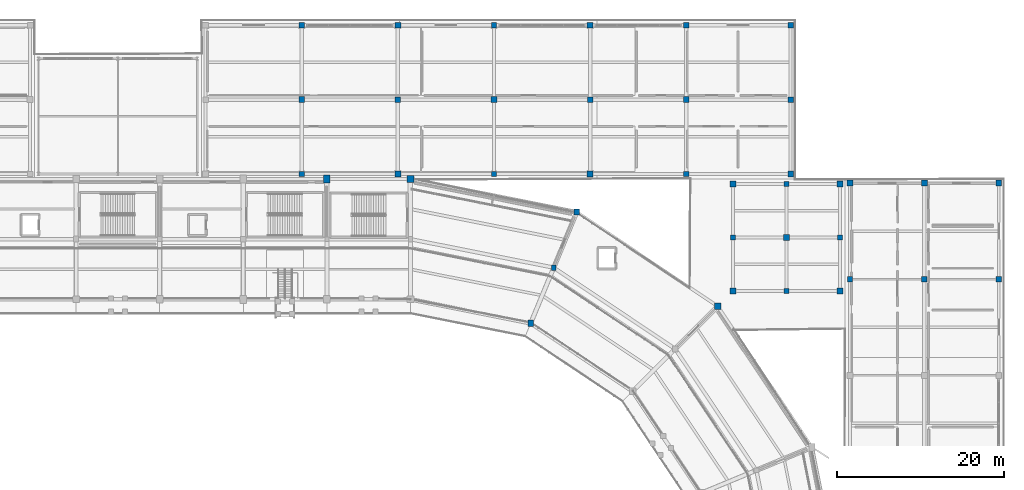
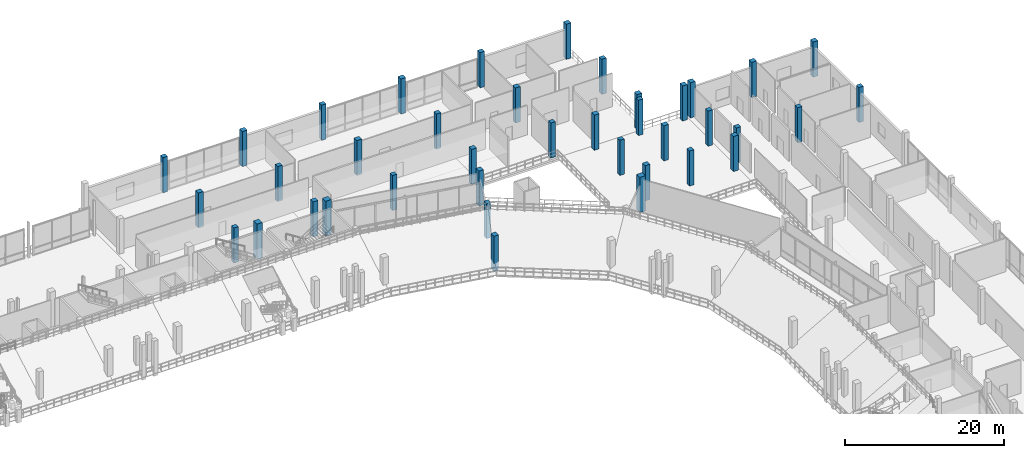
# One storey, part 10 of 127: 39 columns.
"""IFC4 building model written with IfcOpenShell, lengths in metres."""

from ifc_helpers import new_model, si_unit, direction, frame, origin, origin_2d, place, context, subcontext, project, spatial, rectangle, extrude, material, material_profile, profile_set, type_object, element, save


model = new_model("IFC4")

# Units and contexts
model_context = context("Model", 3, precision=1e-05, world=origin(), true_north=direction((0.0, 1.0)))
body_context = subcontext(model_context, "Body", "Model", "MODEL_VIEW")
ifc_project = project(units=[si_unit("LENGTHUNIT", "METRE"), si_unit("AREAUNIT", "SQUARE_METRE"), si_unit("VOLUMEUNIT", "CUBIC_METRE"), si_unit("PLANEANGLEUNIT", "RADIAN"), si_unit("MASSUNIT", "GRAM", prefix="KILO")], contexts=[model_context])

# Site, building, storey
site_placement = place(None, origin())
site = spatial("IfcSite", under=ifc_project, at=site_placement, CompositionType="ELEMENT")
building_placement = place(site_placement, origin())
building = spatial("IfcBuilding", under=site, at=building_placement, Name="Candeia Ridge Stadium", CompositionType="ELEMENT")
storey_placement = place(building_placement, frame((0.0, 0.0, 10.800048828125)))
storey = spatial("IfcBuildingStorey", under=building, at=storey_placement, Name="L02", CompositionType="ELEMENT", Elevation=10.800048828125)

# Columns
ifc_material_1 = material(Name="Concrete C45/55", Category="concrete")
ifc_material_profile_1 = material_profile(ifc_material_1, rectangle(XDim=0.800048828125, YDim=0.800048828125, at=origin_2d()), Name="RC800x800", Category="concrete")
ifc_profile_set_1 = profile_set([ifc_material_profile_1], Name="Concrete C45/55")
column_type_1 = type_object("IfcColumnType", Name="Bowl Column RC800x800", PredefinedType="COLUMN", material=ifc_profile_set_1)
for number, where, z_axis, x_axis, name in (
    (1, (141.0, 147.0, 0.0), (0.0, 0.0, 1.0), (1.0, 0.0, 0.0), "Structural column BC-OU-00 L02"),
    (2, (177.76953125, 131.76953125, 0.0), (0.0, 0.0, 1.0), (1.0, 0.0, 0.0), "Structural column BC-OU-34 L02"),
):
    element("IfcColumn", number, at=place(storey_placement, frame(where, z_axis=z_axis, x_axis=x_axis)), inside=storey, type_object=column_type_1, Name=name, PredefinedType="COLUMN", context=body_context, shape_type="SweptSolid", body=[
        extrude(rectangle(XDim=0.800048828125, YDim=0.800048828125, at=origin_2d()), origin(), (0.0, 0.0, 1.0), 5.39990234375),
    ])
ifc_material_2 = material(Name="Concrete C40/50", Category="concrete")
ifc_material_profile_2 = material_profile(ifc_material_2, rectangle(XDim=0.580078125, YDim=0.679931640625, at=origin_2d()), Name="RC580x680", Category="concrete")
ifc_profile_set_2 = profile_set([ifc_material_profile_2], Name="Concrete C40/50")
column_type_2 = type_object("IfcColumnType", Name="Graduated Frame Column RC580x680", PredefinedType="COLUMN", material=ifc_profile_set_2)
column_1_placement = place(storey_placement, frame((158.144287109375, 136.389892578125, 0.0), z_axis=(0.0, 0.0, 1.0), x_axis=(1.0, 0.0, 0.0)))
element("IfcColumn", 3, at=column_1_placement, inside=storey, type_object=column_type_2, Name="Structural column BC-M2-35 L02", PredefinedType="COLUMN", context=body_context, shape_type="SweptSolid", body=[
    extrude(rectangle(XDim=0.580078125, YDim=0.679931640625, at=origin_2d()), origin(), (0.0, 0.0, 1.0), 5.39990234375),
])
ifc_material_profile_3 = material_profile(ifc_material_2, rectangle(XDim=0.679931640625, YDim=0.760009765625, at=origin_2d()), Name="RC680x760", Category="concrete")
ifc_profile_set_3 = profile_set([ifc_material_profile_3], Name="Concrete C40/50")
column_type_3 = type_object("IfcColumnType", Name="Graduated Frame Column RC680x760", PredefinedType="COLUMN", material=ifc_profile_set_3)
for number, where, z_axis, x_axis, name in (
    (4, (155.388916015625, 129.73779296875, 0.0), (0.0, 0.0, 1.0), (1.0, 0.0, 0.0), "Structural column BC-MD-35 L02"),
    (5, (160.899658203125, 143.041748046875, 0.0), (0.0, 0.0, 1.0), (1.0, 0.0, 0.0), "Structural column BC-OU-35 L02"),
):
    element("IfcColumn", number, at=place(storey_placement, frame(where, z_axis=z_axis, x_axis=x_axis)), inside=storey, type_object=column_type_3, Name=name, PredefinedType="COLUMN", context=body_context, shape_type="SweptSolid", body=[
        extrude(rectangle(XDim=0.679931640625, YDim=0.760009765625, at=origin_2d()), origin(), (0.0, 0.0, 1.0), 5.39990234375),
    ])
ifc_material_profile_4 = material_profile(ifc_material_2, rectangle(XDim=0.64990234375, YDim=0.64990234375, at=origin_2d()), Name="RC650x650", Category="concrete")
ifc_profile_set_4 = profile_set([ifc_material_profile_4], Name="Concrete C40/50")
column_type_4 = type_object("IfcColumnType", Name="Reinforced Concrete Column RC650x650", PredefinedType="COLUMN", material=ifc_profile_set_4)
for number, where, z_axis, x_axis, name in (
    (6, (193.60009765625, 135.0, 0.0), (0.0, 0.0, 1.0), (1.0, 0.0, 0.0), "Structural column EW-00-10 L02"),
    (7, (202.5, 135.0, 0.0), (0.0, 0.0, 1.0), (1.0, 0.0, 0.0), "Structural column EW-01-10 L02"),
    (8, (211.39990234375, 135.0, 0.0), (0.0, 0.0, 1.0), (1.0, 0.0, 0.0), "Structural column EW-02-10 L02"),
    (9, (128.0, 147.60009765625, 0.0), (0.0, 0.0, 1.0), (1.0, 0.0, 0.0), "Structural column NWE-01-00 L02"),
    (10, (128.0, 165.39990234375, 0.0), (0.0, 0.0, 1.0), (1.0, 0.0, 0.0), "Structural column NWE-01-02 L02"),
    (11, (139.5, 156.5, 0.0), (0.0, 0.0, 1.0), (1.0, 0.0, 0.0), "Structural column NWE-02-01 L02"),
    (12, (151.0, 147.60009765625, 0.0), (0.0, 0.0, 1.0), (1.0, 0.0, 0.0), "Structural column NWE-03-00 L02"),
    (13, (151.0, 165.39990234375, 0.0), (0.0, 0.0, 1.0), (1.0, 0.0, 0.0), "Structural column NWE-03-02 L02"),
    (14, (162.5, 156.5, 0.0), (0.0, 0.0, 1.0), (1.0, 0.0, 0.0), "Structural column NWE-04-01 L02"),
    (15, (174.0, 147.60009765625, 0.0), (0.0, 0.0, 1.0), (1.0, 0.0, 0.0), "Structural column NWE-05-00 L02"),
    (16, (174.0, 165.39990234375, 0.0), (0.0, 0.0, 1.0), (1.0, 0.0, 0.0), "Structural column NWE-05-02 L02"),
    (17, (186.5, 156.5, 0.0), (0.0, 0.0, 1.0), (1.0, 0.0, 0.0), "Structural column NWE-06-01 L02"),
    (18, (179.60009765625, 140.0, 0.0), (0.0, 0.0, 1.0), (1.0, 0.0, 0.0), "Structural column SPNE-00-01 L02"),
    (19, (186.0, 133.60009765625, 0.0), (0.0, 0.0, 1.0), (1.0, 0.0, 0.0), "Structural column SPNE-01-00 L02"),
    (20, (186.0, 146.39990234375, 0.0), (0.0, 0.0, 1.0), (1.0, 0.0, 0.0), "Structural column SPNE-01-02 L02"),
    (21, (192.39990234375, 140.0, 0.0), (0.0, 0.0, 1.0), (1.0, 0.0, 0.0), "Structural column SPNE-02-01 L02"),
):
    element("IfcColumn", number, at=place(storey_placement, frame(where, z_axis=z_axis, x_axis=x_axis)), inside=storey, type_object=column_type_4, Name=name, PredefinedType="COLUMN", context=body_context, shape_type="SweptSolid", body=[
        extrude(rectangle(XDim=0.64990234375, YDim=0.64990234375, at=origin_2d()), origin(), (0.0, 0.0, 1.0), 5.39990234375),
    ])
ifc_material_profile_5 = material_profile(ifc_material_1, rectangle(XDim=0.75, YDim=0.89990234375, at=origin_2d()), Name="RC750x900", Category="concrete")
ifc_profile_set_5 = profile_set([ifc_material_profile_5], Name="Concrete C45/55")
column_type_5 = type_object("IfcColumnType", Name="Reinforced Concrete Column RC750x900", PredefinedType="COLUMN", material=ifc_profile_set_5)
column_2_placement = place(storey_placement, frame((131.0, 147.0, 0.0), z_axis=(0.0, 0.0, 1.0), x_axis=(1.0, 0.0, 0.0)))
element("IfcColumn", 22, at=column_2_placement, inside=storey, type_object=column_type_5, Name="Structural column BC-OU-01 L02", PredefinedType="COLUMN", context=body_context, shape_type="SweptSolid", body=[
    extrude(rectangle(XDim=0.75, YDim=0.89990234375, at=origin_2d()), origin(), (0.0, 0.0, 1.0), 5.39990234375),
])
ifc_material_profile_6 = material_profile(ifc_material_2, rectangle(XDim=0.699951171875, YDim=0.699951171875, at=origin_2d()), Name="RC700x700", Category="concrete")
ifc_profile_set_6 = profile_set([ifc_material_profile_6], Name="Concrete C40/50")
column_type_6 = type_object("IfcColumnType", Name="Wing Column RC700x700", PredefinedType="COLUMN", material=ifc_profile_set_6)
for number, where, z_axis, x_axis, name in (
    (23, (193.60009765625, 146.5, 0.0), (0.0, 0.0, 1.0), (1.0, 0.0, 0.0), "Structural column EW-00-11 L02"),
    (24, (202.5, 146.5, 0.0), (0.0, 0.0, 1.0), (1.0, 0.0, 0.0), "Structural column EW-01-11 L02"),
    (25, (211.39990234375, 146.5, 0.0), (0.0, 0.0, 1.0), (1.0, 0.0, 0.0), "Structural column EW-02-11 L02"),
    (26, (128.0, 156.5, 0.0), (0.0, 0.0, 1.0), (1.0, 0.0, 0.0), "Structural column NWE-01-01 L02"),
    (27, (139.5, 147.60009765625, 0.0), (0.0, 0.0, 1.0), (1.0, 0.0, 0.0), "Structural column NWE-02-00 L02"),
    (28, (139.5, 165.39990234375, 0.0), (0.0, 0.0, 1.0), (1.0, 0.0, 0.0), "Structural column NWE-02-02 L02"),
    (29, (151.0, 156.5, 0.0), (0.0, 0.0, 1.0), (1.0, 0.0, 0.0), "Structural column NWE-03-01 L02"),
    (30, (162.5, 147.60009765625, 0.0), (0.0, 0.0, 1.0), (1.0, 0.0, 0.0), "Structural column NWE-04-00 L02"),
    (31, (162.5, 165.39990234375, 0.0), (0.0, 0.0, 1.0), (1.0, 0.0, 0.0), "Structural column NWE-04-02 L02"),
    (32, (174.0, 156.5, 0.0), (0.0, 0.0, 1.0), (1.0, 0.0, 0.0), "Structural column NWE-05-01 L02"),
    (33, (186.5, 147.60009765625, 0.0), (0.0, 0.0, 1.0), (1.0, 0.0, 0.0), "Structural column NWE-06-00 L02"),
    (34, (186.5, 165.39990234375, 0.0), (0.0, 0.0, 1.0), (1.0, 0.0, 0.0), "Structural column NWE-06-02 L02"),
    (35, (179.60009765625, 133.60009765625, 0.0), (0.0, 0.0, 1.0), (1.0, 0.0, 0.0), "Structural column SPNE-00-00 L02"),
    (36, (179.60009765625, 146.39990234375, 0.0), (0.0, 0.0, 1.0), (1.0, 0.0, 0.0), "Structural column SPNE-00-02 L02"),
    (37, (186.0, 140.0, 0.0), (0.0, 0.0, 1.0), (1.0, 0.0, 0.0), "Structural column SPNE-01-01 L02"),
    (38, (192.39990234375, 133.60009765625, 0.0), (0.0, 0.0, 1.0), (1.0, 0.0, 0.0), "Structural column SPNE-02-00 L02"),
    (39, (192.39990234375, 146.39990234375, 0.0), (0.0, 0.0, 1.0), (1.0, 0.0, 0.0), "Structural column SPNE-02-02 L02"),
):
    element("IfcColumn", number, at=place(storey_placement, frame(where, z_axis=z_axis, x_axis=x_axis)), inside=storey, type_object=column_type_6, Name=name, PredefinedType="COLUMN", context=body_context, shape_type="SweptSolid", body=[
        extrude(rectangle(XDim=0.699951171875, YDim=0.699951171875, at=origin_2d()), origin(), (0.0, 0.0, 1.0), 5.39990234375),
    ])

save(model, "model.ifc")
